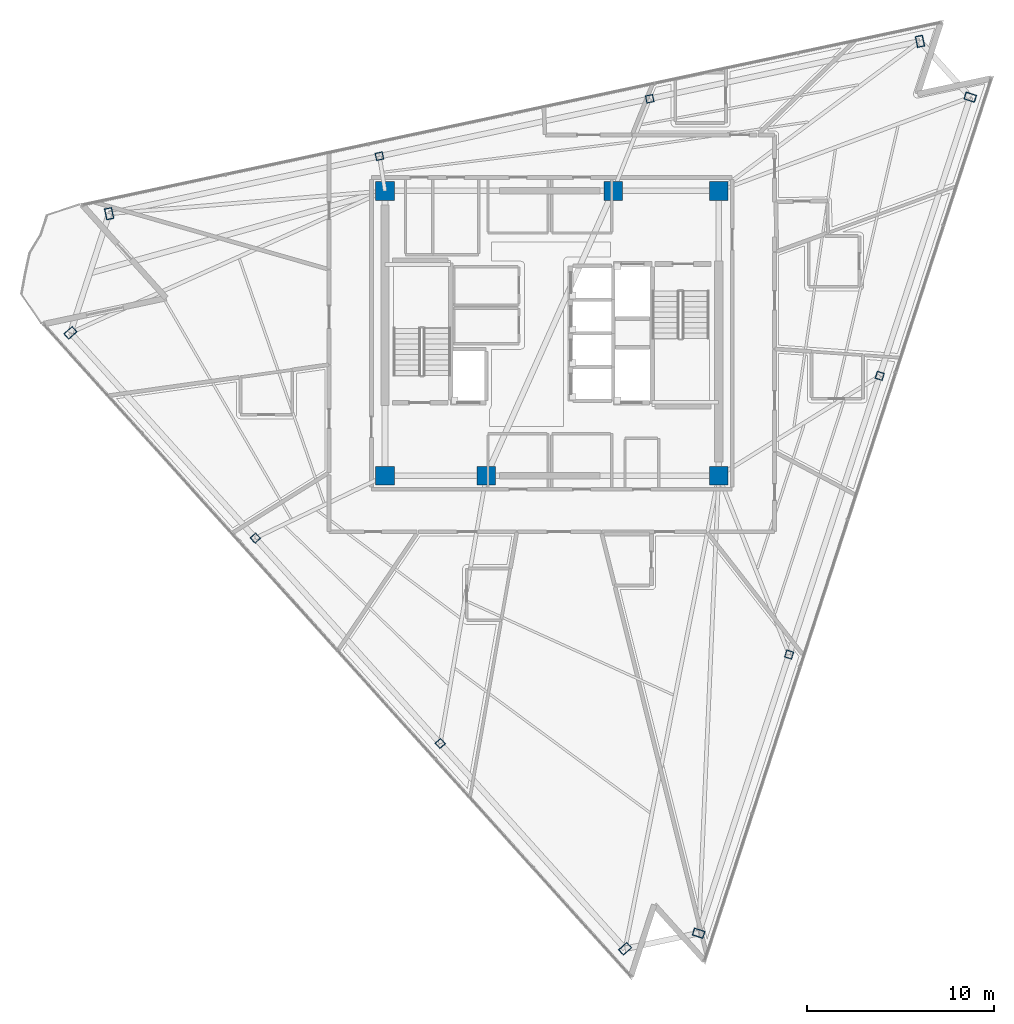
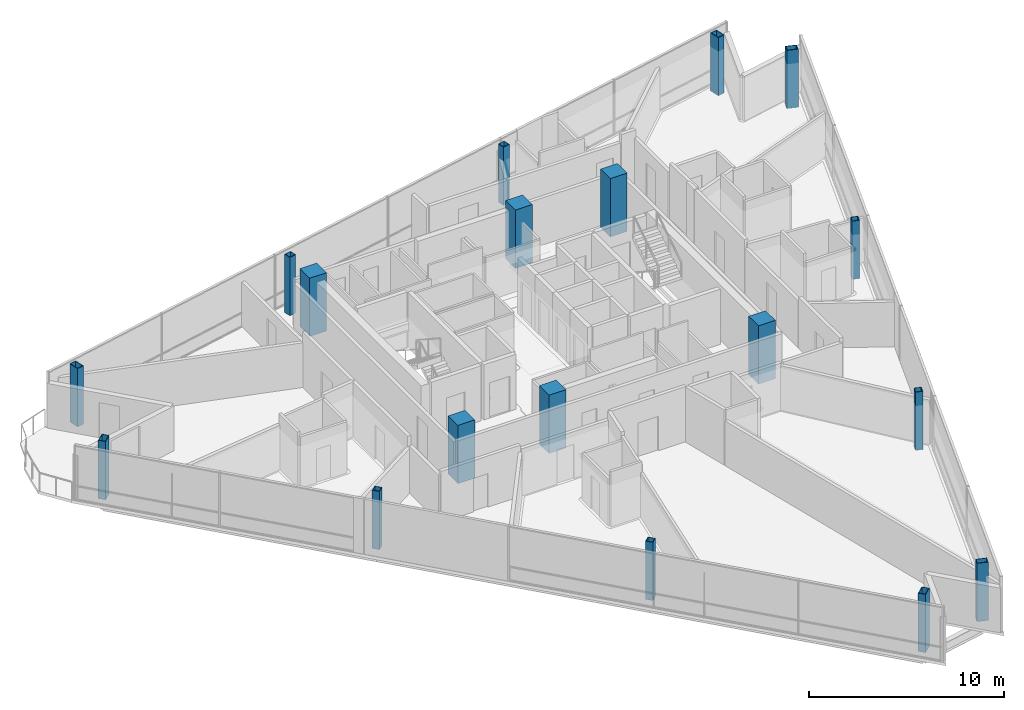
# One storey, part 1 of 17: 18 columns.
"""IFC4 building model written with IfcOpenShell, lengths in metres."""

from ifc_helpers import new_model, si_unit, direction, frame, origin, origin_2d, place, context, subcontext, project, spatial, rectangle, hollow_rectangle, extrude, material, material_profile, profile_set, type_object, element, save


model = new_model("IFC4")

# Units and contexts
model_context = context("Model", 3, precision=1e-05, world=origin(), true_north=direction((0.0, 1.0)))
body_context = subcontext(model_context, "Body", "Model", "MODEL_VIEW")
ifc_project = project(units=[si_unit("LENGTHUNIT", "METRE"), si_unit("AREAUNIT", "SQUARE_METRE"), si_unit("VOLUMEUNIT", "CUBIC_METRE"), si_unit("PLANEANGLEUNIT", "RADIAN"), si_unit("MASSUNIT", "GRAM", prefix="KILO")], contexts=[model_context])

# Site, building, storey
site_placement = place(None, origin())
site = spatial("IfcSite", under=ifc_project, at=site_placement, CompositionType="ELEMENT")
building_placement = place(site_placement, origin())
building = spatial("IfcBuilding", under=site, at=building_placement, Name="Tharavind Bronze Gate", CompositionType="ELEMENT")
storey_placement = place(building_placement, frame((0.0, 0.0, 294.35009765625)))
storey = spatial("IfcBuildingStorey", under=building, at=storey_placement, Name="L76", CompositionType="ELEMENT", Elevation=294.35009765625)

# Columns
ifc_material_1 = material(Name="Steel S460", Category="steel")
ifc_material_profile_1 = material_profile(ifc_material_1, hollow_rectangle(XDim=0.39990234375, YDim=0.60009765625, WallThickness=0.030029296875, at=origin_2d()), Name="RHS600X400X30")
ifc_profile_set_1 = profile_set([ifc_material_profile_1], Name="Steel S460")
column_type_1 = type_object("IfcColumnType", Name="CORNER NOTCH COLUMN RHS600X400", PredefinedType="COLUMN", material=ifc_profile_set_1)
for number, where, z_axis, x_axis, name in (
    (1, (-25.6787109375, 0.03173828125, 0.0), (0.0, 0.0, 1.0), (-0.669130606359, 0.743144825477, 0.0), "L76 perimeter column S1C1"),
    (2, (3.908935546875, -32.82861328125, 0.0), (0.0, 0.0, 1.0), (-0.669130606359, 0.743144825477, 0.0), "L76 perimeter column S1C4"),
    (3, (7.829345703125, -31.99560546875, 0.0), (0.0, 0.0, 1.0), (0.309018654281, 0.951055976957, 0.0), "L76 perimeter column S2C1"),
    (4, (22.319091796875, 12.599609375, 0.0), (0.0, 0.0, 1.0), (0.309018654281, 0.951055976957, 0.0), "L76 perimeter column S2C4"),
    (5, (19.63720703125, 15.578125, 0.0), (0.0, 0.0, 1.0), (0.978147237858, 0.207913398007, 0.0), "L76 perimeter column S3C1"),
    (6, (-23.614501953125, 6.384765625, 0.0), (0.0, 0.0, 1.0), (0.978147237858, 0.207913398007, 0.0), "L76 perimeter column S3C4"),
):
    element("IfcColumn", number, at=place(storey_placement, frame(where, z_axis=z_axis, x_axis=x_axis)), inside=storey, type_object=column_type_1, Name=name, PredefinedType="COLUMN", context=body_context, shape_type="SweptSolid", body=[
        extrude(hollow_rectangle(XDim=0.39990234375, YDim=0.60009765625, WallThickness=0.030029296875, at=origin_2d()), origin(), (0.0, 0.0, 1.0), 3.64990234375),
    ])
ifc_material_2 = material(Name="Concrete C50/60", Category="concrete")
ifc_material_profile_2 = material_profile(ifc_material_2, rectangle(XDim=1.0, YDim=1.0, at=origin_2d()), Name="RCCOL1000")
ifc_profile_set_2 = profile_set([ifc_material_profile_2], Name="Concrete C50/60")
column_type_2 = type_object("IfcColumnType", Name="MEGA CORE COLUMN 1000", PredefinedType="COLUMN", material=ifc_profile_set_2)
for number, where, z_axis, x_axis, name in (
    (7, (-8.89990234375, -7.60009765625, 0.0), (0.0, 0.0, 1.0), (1.0, 0.0, 0.0), "L76 core mega column MC1"),
    (8, (-3.5, -7.60009765625, 0.0), (0.0, 0.0, 1.0), (1.0, 0.0, 0.0), "L76 core mega column MC2"),
    (9, (8.89990234375, -7.60009765625, 0.0), (0.0, 0.0, 1.0), (1.0, 0.0, 0.0), "L76 core mega column MC3"),
    (10, (8.89990234375, 7.60009765625, 0.0), (0.0, 0.0, 1.0), (1.0, 0.0, 0.0), "L76 core mega column MC4"),
    (11, (3.280029296875, 7.60009765625, 0.0), (0.0, 0.0, 1.0), (1.0, 0.0, 0.0), "L76 core mega column MC5"),
    (12, (-8.89990234375, 7.60009765625, 0.0), (0.0, 0.0, 1.0), (1.0, 0.0, 0.0), "L76 core mega column MC6"),
):
    element("IfcColumn", number, at=place(storey_placement, frame(where, z_axis=z_axis, x_axis=x_axis)), inside=storey, type_object=column_type_2, Name=name, PredefinedType="COLUMN", context=body_context, shape_type="SweptSolid", body=[
        extrude(rectangle(XDim=1.0, YDim=1.0, at=origin_2d()), origin(), (0.0, 0.0, 1.0), 3.64990234375),
    ])
ifc_material_profile_3 = material_profile(ifc_material_1, hollow_rectangle(XDim=0.39990234375, YDim=0.39990234375, WallThickness=0.02490234375, at=origin_2d()), Name="SHS400X25")
ifc_profile_set_3 = profile_set([ifc_material_profile_3], Name="Steel S460")
column_type_3 = type_object("IfcColumnType", Name="PERIMETER BOX COLUMN SHS400", PredefinedType="COLUMN", material=ifc_profile_set_3)
for number, where, z_axis, x_axis, name in (
    (13, (-15.816162109375, -10.921875, 0.0), (0.0, 0.0, 1.0), (-0.669130606359, 0.743144825477, 0.0), "L76 perimeter column S1C2"),
    (14, (-5.95361328125, -21.875244140625, 0.0), (0.0, 0.0, 1.0), (-0.669130606359, 0.743144825477, 0.0), "L76 perimeter column S1C3"),
    (15, (12.6591796875, -17.130615234375, 0.0), (0.0, 0.0, 1.0), (0.309018654281, 0.951055976957, 0.0), "L76 perimeter column S2C2"),
    (16, (17.4892578125, -2.265380859375, 0.0), (0.0, 0.0, 1.0), (0.309018654281, 0.951055976957, 0.0), "L76 perimeter column S2C3"),
    (17, (5.219970703125, 12.513671875, 0.0), (0.0, 0.0, 1.0), (0.978147237858, 0.207913398007, 0.0), "L76 perimeter column S3C2"),
    (18, (-9.197265625, 9.44921875, 0.0), (0.0, 0.0, 1.0), (0.978147237858, 0.207913398007, 0.0), "L76 perimeter column S3C3"),
):
    element("IfcColumn", number, at=place(storey_placement, frame(where, z_axis=z_axis, x_axis=x_axis)), inside=storey, type_object=column_type_3, Name=name, PredefinedType="COLUMN", context=body_context, shape_type="SweptSolid", body=[
        extrude(hollow_rectangle(XDim=0.39990234375, YDim=0.39990234375, WallThickness=0.02490234375, at=origin_2d()), origin(), (0.0, 0.0, 1.0), 3.64990234375),
    ])

save(model, "model.ifc")
